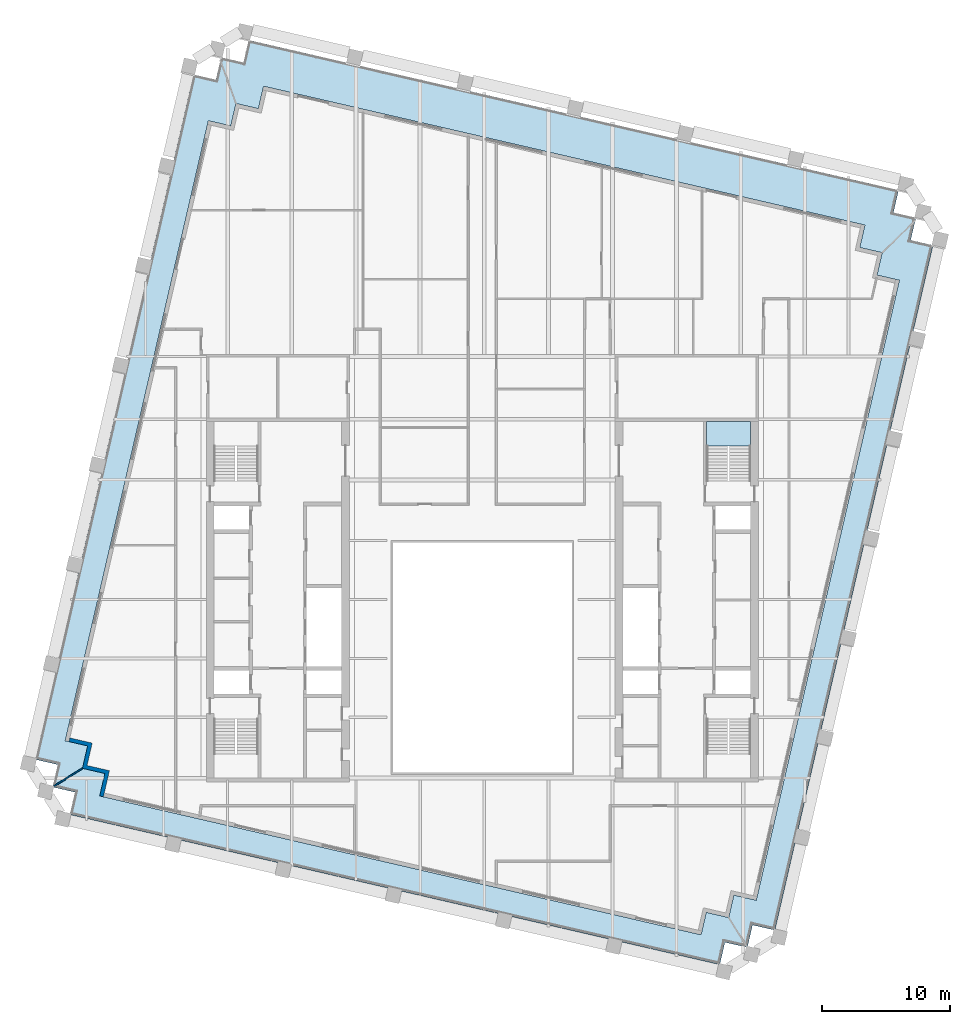
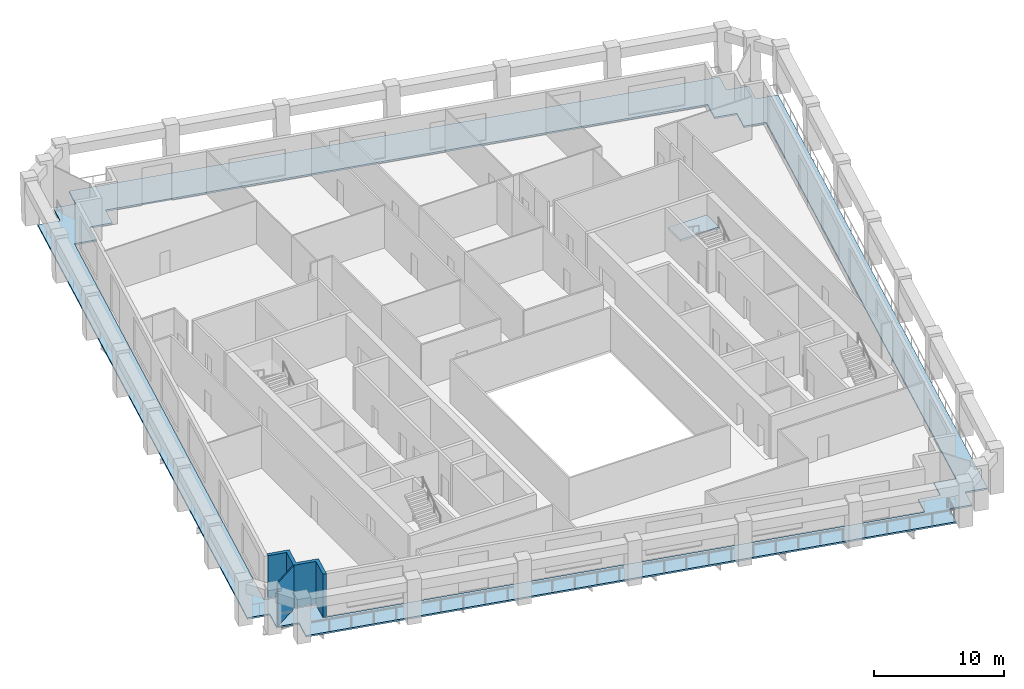
# One storey, part 3 of 10: 2 slabs, 2 walls, 1 element without a shape of its own.
"""IFC4 building model written with IfcOpenShell, lengths in metres."""

from ifc_helpers import new_model, si_unit, direction, frame, frame_2d, origin, place, context, subcontext, project, spatial, polyline, rectangle, outline, extrude, material, layer, layer_set, type_object, element, aggregate, save


model = new_model("IFC4")

# Units and contexts
model_context = context("Model", 3, precision=1e-05, world=origin(), true_north=direction((0.0, 1.0)))
body_context = subcontext(model_context, "Body", "Model", "MODEL_VIEW")
ifc_project = project(units=[si_unit("LENGTHUNIT", "METRE"), si_unit("AREAUNIT", "SQUARE_METRE"), si_unit("VOLUMEUNIT", "CUBIC_METRE"), si_unit("PLANEANGLEUNIT", "RADIAN"), si_unit("MASSUNIT", "GRAM", prefix="KILO")], contexts=[model_context])

# Site, building, storey
site_placement = place(None, origin())
site = spatial("IfcSite", under=ifc_project, at=site_placement, CompositionType="ELEMENT")
building_placement = place(site_placement, origin())
building = spatial("IfcBuilding", under=site, at=building_placement, Name="Ogive Exchange Tower", CompositionType="ELEMENT")
storey_placement = place(building_placement, frame((0.0, 0.0, 251.39990234375)))
storey = spatial("IfcBuildingStorey", under=building, at=storey_placement, Name="L54", CompositionType="ELEMENT", Elevation=251.39990234375)

# Slab
ifc_material_1 = material(Name="Concrete C50/60", Category="concrete")
ifc_layer_1 = layer(ifc_material_1, 0.14990234375)
ifc_layer_set_1 = layer_set([ifc_layer_1], Name="Loggia deck 150")
slab_type_1 = type_object("IfcSlabType", Name="Loggia deck 150", PredefinedType="FLOOR", material=ifc_layer_set_1)
slab_1_placement = place(storey_placement, frame((0.0, 0.0, -0.199951171875)))
element("IfcSlab", 1, at=slab_1_placement, inside=storey, type_object=slab_type_1, Name="Loggia deck", PredefinedType="FLOOR", context=body_context, shape_type="SweptSolid", body=[
    extrude(outline(polyline([(-31.8759765625, -3.54443359375), (-33.6298828125, -3.1396484375), (-33.224853515625, -1.3857421875), (-34.978759765625, -0.980712890625), (-22.6044921875, 52.618408203125), (-20.8505859375, 52.21337890625), (-20.445556640625, 53.96728515625), (-18.691650390625, 53.5625), (-18.286865234375, 55.31640625), (32.5751953125, 43.573974609375), (32.17041015625, 41.820068359375), (33.92431640625, 41.4150390625), (33.519287109375, 39.6611328125), (35.273193359375, 39.25634765625), (22.89892578125, -14.343017578125), (21.14501953125, -13.93798828125), (20.739990234375, -15.69189453125), (18.986083984375, -15.286865234375), (18.581298828125, -17.040771484375), (-32.28076171875, -5.29833984375), (-31.8759765625, -3.54443359375)]), holes=[polyline([(17.52490234375, -12.9482421875), (19.27880859375, -13.353271484375), (19.68359375, -11.599365234375), (21.4375, -12.004150390625), (32.64013671875, 36.519287109375), (30.88623046875, 36.92431640625), (31.291015625, 38.67822265625), (29.537109375, 39.0830078125), (29.942138671875, 40.8369140625), (-17.119873046875, 51.7021484375), (-17.52490234375, 49.9482421875), (-19.27880859375, 50.353271484375), (-19.68359375, 48.599365234375), (-21.4375, 49.004150390625), (-32.64013671875, 0.480712890625), (-30.88623046875, 0.07568359375), (-31.291015625, -1.67822265625), (-29.537109375, -2.0830078125), (-29.942138671875, -3.8369140625), (17.119873046875, -14.7021484375), (17.52490234375, -12.9482421875)])]), origin(), (0.0, 0.0, 1.0), 0.150146484375),
])

# Stair, slab
ifc_material_2 = material(Name="Concrete C40/50", Category="concrete")
stair_type = type_object("IfcStairType", Name="Exit stair 1650 wide", PredefinedType="HALF_TURN_STAIR", material=ifc_material_2)
stair_placement = place(storey_placement, origin())
stair = element("IfcStair", 2, at=stair_placement, inside=storey, type_object=stair_type, Name="L54 exit stair ST4", PredefinedType="HALF_TURN_STAIR")
ifc_layer_2 = layer(ifc_material_2, 0.199951171875)
ifc_layer_set_2 = layer_set([ifc_layer_2], Name="Stair landing 200 slab")
slab_type_2 = type_object("IfcSlabType", Name="Stair landing 200 slab", PredefinedType="LANDING", material=ifc_layer_set_2)
slab_2_placement = place(storey_placement, frame((0.0, 0.0, 1.900146484375)))
slab_2 = element("IfcSlab", 3, at=slab_2_placement, type_object=slab_type_2, Name="ST4 landing 1", PredefinedType="LANDING", context=body_context, shape_type="SweptSolid", body=[
    extrude(outline(polyline([(21.0, 23.550048828125), (21.0, 25.449951171875), (17.550048828125, 25.449951171875), (17.550048828125, 23.550048828125), (21.0, 23.550048828125)])), origin(), (0.0, 0.0, 1.0), 0.199951171875),
])
aggregate(stair, [slab_2])

# Walls
ifc_material_3 = material(Name="Precast concrete C40/50", Category="concrete")
ifc_layer_3 = layer(ifc_material_3, 0.300048828125)
ifc_layer_set_3 = layer_set([ifc_layer_3], Name="Limestone-faced wall 300")
wall_type_1 = type_object("IfcWallType", Name="Limestone-faced wall 300", PredefinedType="STANDARD", material=ifc_layer_set_3)
wall_1_placement = place(storey_placement, origin())
element("IfcWall", 4, at=wall_1_placement, inside=storey, type_object=wall_type_1, Name="External corner wall C4", PredefinedType="STANDARD", context=body_context, shape_type="SweptSolid", body=[
    extrude(outline(polyline([(-31.291015625, -1.67822265625), (-30.88623046875, 0.07568359375), (-32.34765625, 0.4130859375), (-32.2802734375, 0.705322265625), (-30.5263671875, 0.300537109375), (-30.931396484375, -1.453369140625), (-29.177490234375, -1.8583984375), (-29.64990234375, -3.904541015625), (-29.942138671875, -3.8369140625), (-29.537109375, -2.0830078125), (-31.291015625, -1.67822265625)])), origin(), (0.0, 0.0, 1.0), 4.0),
])
ifc_material_4 = material(Name="Laminated safety glass in steel frame", Category="steel")
ifc_layer_4 = layer(ifc_material_4, 0.10009765625)
ifc_layer_set_4 = layer_set([ifc_layer_4], Name="Loggia end screen 100")
wall_type_2 = type_object("IfcWallType", Name="Loggia end screen 100", PredefinedType="STANDARD", material=ifc_layer_set_4)
wall_2_placement = place(storey_placement, frame((-31.291015625, -1.67822265625, -0.0498046875), z_axis=(0.0, 0.0, 1.0), x_axis=(-0.84807753525, -0.529872148923, 0.0)))
element("IfcWall", 5, at=wall_2_placement, inside=storey, type_object=wall_type_2, Name="Loggia end screen C4", PredefinedType="STANDARD", context=body_context, shape_type="SweptSolid", body=[
    extrude(rectangle(XDim=2.596435546875, YDim=0.10009765625, at=frame_2d((1.29833984375, 0.0))), origin(), (0.0, 0.0, 1.0), 4.0498046875),
])

save(model, "model.ifc")
